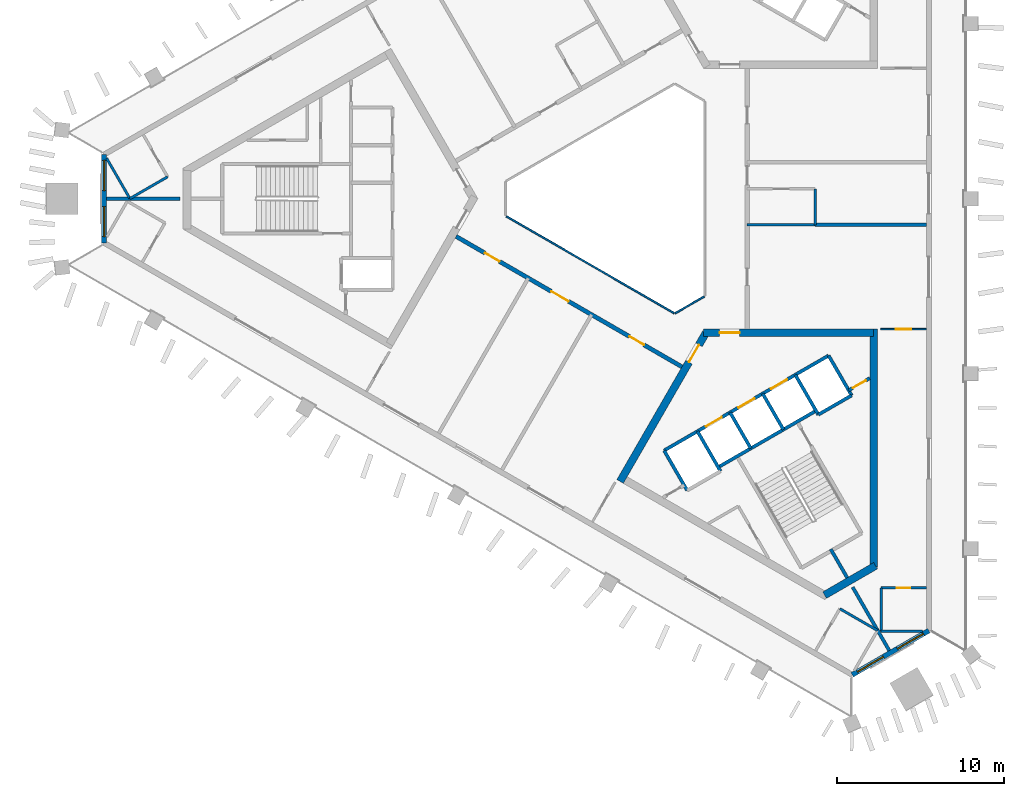
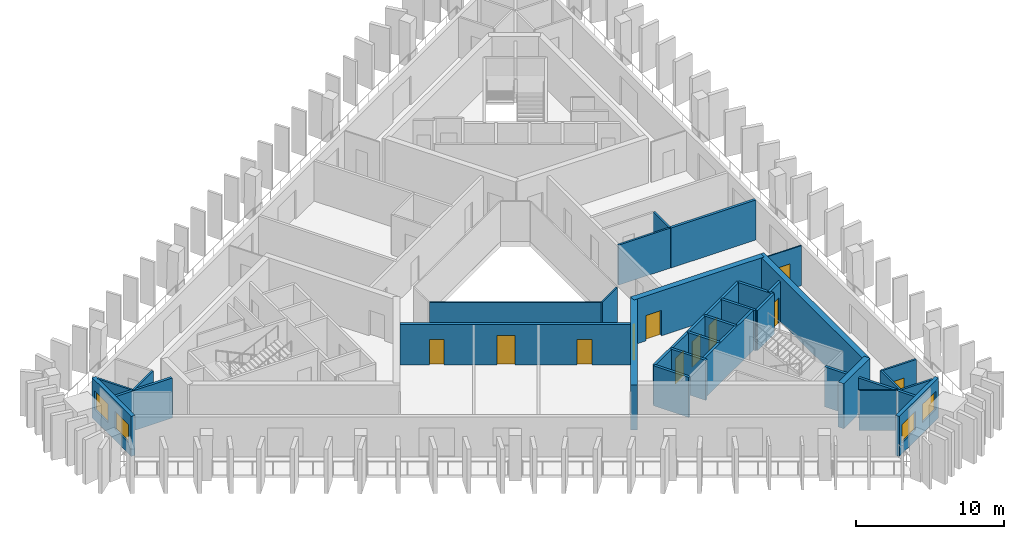
# One storey, part 3 of 9: 32 walls, 11 doors, 4 windows, 15 openings.
"""IFC4 building model written with IfcOpenShell, lengths in metres."""

from ifc_helpers import new_model, si_unit, direction, frame, frame_2d, origin, place, context, subcontext, project, spatial, rectangle, extrude, material, layer, layer_set, type_object, element, fill, save


model = new_model("IFC4")

# Units and contexts
model_context = context("Model", 3, precision=1e-05, world=origin(), true_north=direction((0.0, 1.0)))
body_context = subcontext(model_context, "Body", "Model", "MODEL_VIEW")
ifc_project = project(units=[si_unit("LENGTHUNIT", "METRE"), si_unit("AREAUNIT", "SQUARE_METRE"), si_unit("VOLUMEUNIT", "CUBIC_METRE"), si_unit("PLANEANGLEUNIT", "RADIAN"), si_unit("MASSUNIT", "GRAM", prefix="KILO")], contexts=[model_context])

# Site, building, storey
site_placement = place(None, origin())
site = spatial("IfcSite", under=ifc_project, at=site_placement, CompositionType="ELEMENT")
building_placement = place(site_placement, origin())
building = spatial("IfcBuilding", under=site, at=building_placement, Name="Jabali Bay Hotel Tower and Convention Centre", CompositionType="ELEMENT")
storey_placement = place(building_placement, frame((0.0, 0.0, 205.800048828125)))
storey = spatial("IfcBuildingStorey", under=building, at=storey_placement, Name="L50", CompositionType="ELEMENT", Elevation=205.800048828125)

# Walls
ifc_material_1 = material(Name="Fire-resistant glazing", Category="glass")
ifc_layer_1 = layer(ifc_material_1, 0.10009765625)
ifc_layer_set_1 = layer_set([ifc_layer_1], Name="Fire-resistant glazing")
wall_type_1 = type_object("IfcWallType", Name="Atrium glazed screen 100", PredefinedType="PARTITIONING", material=ifc_layer_set_1)
wall_1_placement = place(storey_placement, frame((67.7021484375, 78.947998046875, 0.0), z_axis=(0.0, 0.0, 1.0), x_axis=(0.866026658274, -0.499997827154, 0.0)))
element("IfcWall", 1, at=wall_1_placement, inside=storey, type_object=wall_type_1, Name="Atrium screen 5 L50", PredefinedType="PARTITIONING", context=body_context, shape_type="SweptSolid", body=[
    extrude(rectangle(XDim=11.58837890625, YDim=0.10009765625, at=frame_2d((5.794189453125, 0.0))), origin(), (0.0, 0.0, 1.0), 3.300048828125),
])
wall_2_placement = place(storey_placement, frame((77.7978515625, 73.15380859375, 0.0), z_axis=(0.0, 0.0, 1.0), x_axis=(0.866041268327, 0.499972520799, 0.0)))
element("IfcWall", 2, at=wall_2_placement, inside=storey, type_object=wall_type_1, Name="Atrium screen 6 L50", PredefinedType="PARTITIONING", context=body_context, shape_type="SweptSolid", body=[
    extrude(rectangle(XDim=2.0, YDim=0.10009765625, at=frame_2d((1.0, 0.0))), origin(), (0.0, 0.0, 1.0), 3.300048828125),
])
ifc_material_2 = material(Name="Concrete C40", Category="concrete")
ifc_layer_2 = layer(ifc_material_2, 0.199951171875)
ifc_layer_set_2 = layer_set([ifc_layer_2], Name="Concrete C40")
wall_type_2 = type_object("IfcWallType", Name="Core partition wall 200", PredefinedType="PARTITIONING", material=ifc_layer_set_2)
wall_3_placement = place(storey_placement, frame((87.090087890625, 59.0595703125, 0.0), z_axis=(0.0, 0.0, 1.0), x_axis=(0.500011643316, -0.866018681408, 0.0)))
element("IfcWall", 3, at=wall_3_placement, inside=storey, type_object=wall_type_2, Name="Core wall 2.5 L50", PredefinedType="PARTITIONING", context=body_context, shape_type="SweptSolid", body=[
    extrude(rectangle(XDim=1.97314453125, YDim=0.199951171875, at=frame_2d((0.986572265625, 0.0))), origin(), (0.0, 0.0, 1.0), 3.300048828125),
])

# Wall, opening, door
wall_4_placement = place(storey_placement, frame((88.164794921875, 68.548095703125, 0.0), z_axis=(0.0, 0.0, 1.0), x_axis=(0.866013036001, 0.500021421018, 0.0)))
wall_4 = element("IfcWall", 4, at=wall_4_placement, inside=storey, type_object=wall_type_2, Name="Core wall 2.12 L50", PredefinedType="PARTITIONING", context=body_context, shape_type="SweptSolid", body=[
    extrude(rectangle(XDim=1.4609375, YDim=0.199951171875, at=frame_2d((0.73046875, 0.0))), origin(), (0.0, 0.0, 1.0), 3.300048828125),
])
opening_1_placement = place(wall_4_placement, frame((0.280517578125, 0.0, 0.0)))
opening_1 = element("IfcOpeningElement", 5, at=opening_1_placement, cuts=wall_4, Name="Opening D1091", PredefinedType="OPENING", context=body_context, shape_type="SweptSolid", body=[
    extrude(rectangle(XDim=0.89990234375, YDim=2.10009765625, at=frame_2d((0.449951171875, 1.050048828125))), frame((0.0, 0.1103515625, 0.0), z_axis=(0.0, -1.0, 0.0), x_axis=(1.0, 0.0, 0.0)), (0.0, 0.0, 1.0), 0.220947265625),
])
ifc_material_3 = material(Name="Fire-rated steel door", Category="steel")
door_type_1 = type_object("IfcDoorType", Name="Vestibule fire door 900 x 2100", OperationType="NOTDEFINED", PredefinedType="NOTDEFINED", material=ifc_material_3)
door_1_placement = place(opening_1_placement, origin())
door_1 = element("IfcDoor", 6, at=door_1_placement, inside=storey, type_object=door_type_1, Name="Vestibule fire door D1091", OperationType="SINGLE_SWING_LEFT", OverallHeight=2.10009765625, OverallWidth=0.89990234375, PredefinedType="NOTDEFINED", context=body_context, shape_type="SweptSolid", body=[
    extrude(rectangle(XDim=0.89990234375, YDim=2.10009765625, at=frame_2d((0.449951171875, 1.050048828125))), frame((0.0, 0.02490234375, 0.0), z_axis=(0.0, -1.0, 0.0), x_axis=(1.0, 0.0, 0.0)), (0.0, 0.0, 1.0), 0.050048828125),
])
fill(opening_1, door_1)

# Walls
ifc_layer_3 = layer(ifc_material_2, 0.199951171875)
ifc_layer_set_3 = layer_set([ifc_layer_3], Name="Concrete C40")
wall_type_3 = type_object("IfcWallType", Name="Core stair wall 200", PredefinedType="SOLIDWALL", material=ifc_layer_set_3)
for number, where, z_axis, x_axis, name in (
    (7, (77.13525390625, 64.95166015625, 0.0), (0.0, 0.0, 1.0), (0.499996545922, -0.866027397988, 0.0), "Core wall 2.0 L50"),
    (8, (79.127197265625, 66.1015625, 0.0), (0.0, 0.0, 1.0), (0.499996545922, -0.866027397988, 0.0), "Core wall 2.2 L50"),
):
    element("IfcWall", number, at=place(storey_placement, frame(where, z_axis=z_axis, x_axis=x_axis)), inside=storey, type_object=wall_type_3, Name=name, PredefinedType="SOLIDWALL", context=body_context, shape_type="SweptSolid", body=[
        extrude(rectangle(XDim=2.75, YDim=0.199951171875, at=frame_2d((1.375, 0.0))), origin(), (0.0, 0.0, 1.0), 3.300048828125),
    ])
for number, where, z_axis, x_axis, name in (
    (9, (81.07568359375, 67.2265625, 0.0), (0.0, 0.0, 1.0), (0.50000366821, -0.866023285932, 0.0), "Core wall 2.4 L50"),
    (10, (83.024169921875, 68.3515625, 0.0), (0.0, 0.0, 1.0), (0.50000366821, -0.866023285932, 0.0), "Core wall 2.6 L50"),
):
    element("IfcWall", number, at=place(storey_placement, frame(where, z_axis=z_axis, x_axis=x_axis)), inside=storey, type_object=wall_type_3, Name=name, PredefinedType="SOLIDWALL", context=body_context, shape_type="SweptSolid", body=[
        extrude(rectangle(XDim=2.47998046875, YDim=0.199951171875, at=frame_2d((1.239990234375, 0.0))), origin(), (0.0, 0.0, 1.0), 3.300048828125),
    ])
for number, where, z_axis, x_axis, name in (
    (11, (84.972900390625, 69.4765625, 0.0), (0.0, 0.0, 1.0), (0.499996545922, -0.866027397988, 0.0), "Core wall 2.8 L50"),
    (12, (86.964599609375, 70.62646484375, 0.0), (0.0, 0.0, 1.0), (0.499996545922, -0.866027397988, 0.0), "Core wall 2.9 L50"),
):
    element("IfcWall", number, at=place(storey_placement, frame(where, z_axis=z_axis, x_axis=x_axis)), inside=storey, type_object=wall_type_3, Name=name, PredefinedType="SOLIDWALL", context=body_context, shape_type="SweptSolid", body=[
        extrude(rectangle(XDim=2.75, YDim=0.199951171875, at=frame_2d((1.375, 0.0))), origin(), (0.0, 0.0, 1.0), 3.300048828125),
    ])

# Wall, openings, doors
wall_5_placement = place(storey_placement, frame((77.13525390625, 64.95166015625, 0.0), z_axis=(0.0, 0.0, 1.0), x_axis=(0.866031916153, 0.499988720078, 0.0)))
wall_5 = element("IfcWall", 13, at=wall_5_placement, inside=storey, type_object=wall_type_3, Name="Core wall 2.10 L50", PredefinedType="SOLIDWALL", context=body_context, shape_type="SweptSolid", body=[
    extrude(rectangle(XDim=11.349853515625, YDim=0.199951171875, at=frame_2d((5.6748046875, 0.0))), origin(), (0.0, 0.0, 1.0), 3.300048828125),
])
opening_2_placement = place(wall_5_placement, frame((2.875, 0.0, 0.0)))
opening_2 = element("IfcOpeningElement", 14, at=opening_2_placement, cuts=wall_5, Name="Opening LD12-L50", PredefinedType="OPENING", context=body_context, shape_type="SweptSolid", body=[
    extrude(rectangle(XDim=1.10009765625, YDim=2.10009765625, at=frame_2d((0.550048828125, 1.050048828125))), frame((0.0, 0.1103515625, 0.0), z_axis=(0.0, -1.0, 0.0), x_axis=(1.0, 0.0, 0.0)), (0.0, 0.0, 1.0), 0.220947265625),
])
opening_3_placement = place(wall_5_placement, frame((5.125, 0.0, 0.0)))
opening_3 = element("IfcOpeningElement", 15, at=opening_3_placement, cuts=wall_5, Name="Opening LD13-L50", PredefinedType="OPENING", context=body_context, shape_type="SweptSolid", body=[
    extrude(rectangle(XDim=1.10009765625, YDim=2.10009765625, at=frame_2d((0.550048828125, 1.050048828125))), frame((0.0, 0.1103515625, 0.0), z_axis=(0.0, -1.0, 0.0), x_axis=(1.0, 0.0, 0.0)), (0.0, 0.0, 1.0), 0.220947265625),
])
opening_4_placement = place(wall_5_placement, frame((7.375, 0.0, 0.0)))
opening_4 = element("IfcOpeningElement", 16, at=opening_4_placement, cuts=wall_5, Name="Opening LD14-L50", PredefinedType="OPENING", context=body_context, shape_type="SweptSolid", body=[
    extrude(rectangle(XDim=1.10009765625, YDim=2.10009765625, at=frame_2d((0.550048828125, 1.050048828125))), frame((0.0, 0.1103515625, 0.0), z_axis=(0.0, -1.0, 0.0), x_axis=(1.0, 0.0, 0.0)), (0.0, 0.0, 1.0), 0.220947265625),
])
ifc_material_4 = material(Name="Stainless steel landing door", Category="steel")
door_type_2 = type_object("IfcDoorType", Name="Landing door 1100 x 2100", OperationType="NOTDEFINED", PredefinedType="NOTDEFINED", material=ifc_material_4)
door_2_placement = place(opening_2_placement, origin())
door_2 = element("IfcDoor", 17, at=door_2_placement, inside=storey, type_object=door_type_2, Name="Landing doors LD12-L50", OperationType="SLIDING_TO_LEFT", OverallHeight=2.10009765625, OverallWidth=1.10009765625, PredefinedType="NOTDEFINED", context=body_context, shape_type="SweptSolid", body=[
    extrude(rectangle(XDim=1.10009765625, YDim=2.10009765625, at=frame_2d((0.550048828125, 1.050048828125))), frame((0.0, 0.02490234375, 0.0), z_axis=(0.0, -1.0, 0.0), x_axis=(1.0, 0.0, 0.0)), (0.0, 0.0, 1.0), 0.050048828125),
])
fill(opening_2, door_2)
door_3_placement = place(opening_3_placement, origin())
door_3 = element("IfcDoor", 18, at=door_3_placement, inside=storey, type_object=door_type_2, Name="Landing doors LD13-L50", OperationType="SLIDING_TO_RIGHT", OverallHeight=2.10009765625, OverallWidth=1.10009765625, PredefinedType="NOTDEFINED", context=body_context, shape_type="SweptSolid", body=[
    extrude(rectangle(XDim=1.10009765625, YDim=2.10009765625, at=frame_2d((0.550048828125, 1.050048828125))), frame((0.0, 0.02490234375, 0.0), z_axis=(0.0, -1.0, 0.0), x_axis=(1.0, 0.0, 0.0)), (0.0, 0.0, 1.0), 0.050048828125),
])
fill(opening_3, door_3)
door_4_placement = place(opening_4_placement, origin())
door_4 = element("IfcDoor", 19, at=door_4_placement, inside=storey, type_object=door_type_2, Name="Landing doors LD14-L50", OperationType="SLIDING_TO_LEFT", OverallHeight=2.10009765625, OverallWidth=1.10009765625, PredefinedType="NOTDEFINED", context=body_context, shape_type="SweptSolid", body=[
    extrude(rectangle(XDim=1.10009765625, YDim=2.10009765625, at=frame_2d((0.550048828125, 1.050048828125))), frame((0.0, 0.02490234375, 0.0), z_axis=(0.0, -1.0, 0.0), x_axis=(1.0, 0.0, 0.0)), (0.0, 0.0, 1.0), 0.050048828125),
])
fill(opening_4, door_4)

# Walls
wall_6_placement = place(storey_placement, frame((80.3671875, 63.953857421875, 0.0), z_axis=(0.0, 0.0, 1.0), x_axis=(0.866026575979, 0.499997969693, 0.0)))
element("IfcWall", 20, at=wall_6_placement, inside=storey, type_object=wall_type_3, Name="Core wall 2.13 L50", PredefinedType="SOLIDWALL", context=body_context, shape_type="SweptSolid", body=[
    extrude(rectangle(XDim=6.75, YDim=0.199951171875, at=frame_2d((3.375, 0.0))), origin(), (0.0, 0.0, 1.0), 3.300048828125),
])
wall_7_placement = place(storey_placement, frame((86.347900390625, 67.094970703125, 0.0), z_axis=(0.0, 0.0, 1.0), x_axis=(0.86602648383, 0.499998129301, 0.0)))
element("IfcWall", 21, at=wall_7_placement, inside=storey, type_object=wall_type_3, Name="Core wall 2.15 L50", PredefinedType="SOLIDWALL", context=body_context, shape_type="SweptSolid", body=[
    extrude(rectangle(XDim=2.2998046875, YDim=0.199951171875, at=frame_2d((1.14990234375, 0.0))), origin(), (0.0, 0.0, 1.0), 3.300048828125),
])

# Wall, opening, door
ifc_material_5 = material(Name="Concrete C60", Category="concrete")
ifc_layer_4 = layer(ifc_material_5, 0.449951171875)
ifc_layer_set_4 = layer_set([ifc_layer_4], Name="Concrete C60")
wall_type_4 = type_object("IfcWallType", Name="Core wall 450", PredefinedType="SHEAR", material=ifc_layer_set_4)
wall_8_placement = place(storey_placement, frame((79.6298828125, 71.980712890625, 0.0), z_axis=(0.0, 0.0, 1.0), x_axis=(-0.500002171595, -0.86602415001, 0.0)))
wall_8 = element("IfcWall", 22, at=wall_8_placement, inside=storey, type_object=wall_type_4, Name="Core wall 3.1 L50", PredefinedType="SHEAR", context=body_context, shape_type="SweptSolid", body=[
    extrude(rectangle(XDim=10.25, YDim=0.449951171875, at=frame_2d((5.125, 0.0))), origin(), (0.0, 0.0, 1.0), 3.699951171875),
])
opening_5_placement = place(wall_8_placement, frame((0.820068359375, 0.0, 0.0)))
opening_5 = element("IfcOpeningElement", 23, at=opening_5_placement, cuts=wall_8, Name="Opening D1089", PredefinedType="OPENING", context=body_context, shape_type="SweptSolid", body=[
    extrude(rectangle(XDim=1.199951171875, YDim=2.10009765625, at=frame_2d((0.60009765625, 1.050048828125))), frame((0.0, 0.2353515625, 0.0), z_axis=(0.0, -1.0, 0.0), x_axis=(1.0, 0.0, 0.0)), (0.0, 0.0, 1.0), 0.470947265625),
])
door_type_3 = type_object("IfcDoorType", Name="Corridor end fire door 1200 x 2100", OperationType="NOTDEFINED", PredefinedType="NOTDEFINED", material=ifc_material_3)
door_5_placement = place(opening_5_placement, origin())
door_5 = element("IfcDoor", 24, at=door_5_placement, inside=storey, type_object=door_type_3, Name="Corridor end fire door D1089", OperationType="SINGLE_SWING_RIGHT", OverallHeight=2.10009765625, OverallWidth=1.199951171875, PredefinedType="NOTDEFINED", context=body_context, shape_type="SweptSolid", body=[
    extrude(rectangle(XDim=1.199951171875, YDim=2.10009765625, at=frame_2d((0.60009765625, 1.050048828125))), frame((0.0, 0.02490234375, 0.0), z_axis=(0.0, -1.0, 0.0), x_axis=(1.0, 0.0, 0.0)), (0.0, 0.0, 1.0), 0.050048828125),
])
fill(opening_5, door_5)

# Walls
wall_9_placement = place(storey_placement, frame((86.72314453125, 56.3095703125, 0.0), z_axis=(0.0, 0.0, 1.0), x_axis=(0.866042179588, 0.49997094233, 0.0)))
element("IfcWall", 25, at=wall_9_placement, inside=storey, type_object=wall_type_4, Name="Core wall 3.3 L50", PredefinedType="SHEAR", context=body_context, shape_type="SweptSolid", body=[
    extrude(rectangle(XDim=3.515380859375, YDim=0.449951171875, at=frame_2d((1.7578125, 0.0))), origin(), (0.0, 0.0, 1.0), 3.699951171875),
])
wall_10_placement = place(storey_placement, frame((89.655029296875, 58.002197265625, 0.0), z_axis=(0.0, 0.0, 1.0), x_axis=(0.0, 1.0, 0.0)))
element("IfcWall", 26, at=wall_10_placement, inside=storey, type_object=wall_type_4, Name="Core wall 3.4 L50", PredefinedType="SHEAR", context=body_context, shape_type="SweptSolid", body=[
    extrude(rectangle(XDim=14.20361328125, YDim=0.449951171875, at=frame_2d((7.101806640625, 0.0))), origin(), (0.0, 0.0, 1.0), 3.699951171875),
])

# Wall, opening, door
wall_11_placement = place(storey_placement, frame((89.655029296875, 71.980712890625, 0.0), z_axis=(0.0, 0.0, 1.0), x_axis=(-1.0, 0.0, 0.0)))
wall_11 = element("IfcWall", 27, at=wall_11_placement, inside=storey, type_object=wall_type_4, Name="Core wall 3.5 L50", PredefinedType="SHEAR", context=body_context, shape_type="SweptSolid", body=[
    extrude(rectangle(XDim=10.155029296875, YDim=0.449951171875, at=frame_2d((5.07763671875, 0.0))), origin(), (0.0, 0.0, 1.0), 3.699951171875),
])
opening_6_placement = place(wall_11_placement, frame((8.0048828125, 0.0, 0.0)))
opening_6 = element("IfcOpeningElement", 28, at=opening_6_placement, cuts=wall_11, Name="Opening D1090", PredefinedType="OPENING", context=body_context, shape_type="SweptSolid", body=[
    extrude(rectangle(XDim=1.199951171875, YDim=2.10009765625, at=frame_2d((0.60009765625, 1.050048828125))), frame((0.0, 0.2353515625, 0.0), z_axis=(0.0, -1.0, 0.0), x_axis=(1.0, 0.0, 0.0)), (0.0, 0.0, 1.0), 0.470947265625),
])
door_6_placement = place(opening_6_placement, origin())
door_6 = element("IfcDoor", 29, at=door_6_placement, inside=storey, type_object=door_type_3, Name="Corridor end fire door D1090", OperationType="SINGLE_SWING_LEFT", OverallHeight=2.10009765625, OverallWidth=1.199951171875, PredefinedType="NOTDEFINED", context=body_context, shape_type="SweptSolid", body=[
    extrude(rectangle(XDim=1.199951171875, YDim=2.10009765625, at=frame_2d((0.60009765625, 1.050048828125))), frame((0.0, 0.02490234375, 0.0), z_axis=(0.0, -1.0, 0.0), x_axis=(1.0, 0.0, 0.0)), (0.0, 0.0, 1.0), 0.050048828125),
])
fill(opening_6, door_6)

# Wall, openings, doors
ifc_layer_5 = layer(ifc_material_5, 0.25)
ifc_layer_set_5 = layer_set([ifc_layer_5], Name="Concrete C60")
wall_type_5 = type_object("IfcWallType", Name="Corridor wall 250", PredefinedType="SHEAR", material=ifc_layer_set_5)
wall_12_placement = place(storey_placement, frame((64.699951171875, 77.748291015625, 0.0), z_axis=(0.0, 0.0, 1.0), x_axis=(0.866026492143, -0.499998114903, 0.0)))
wall_12 = element("IfcWall", 30, at=wall_12_placement, inside=storey, type_object=wall_type_5, Name="Corridor wall 3 L50", PredefinedType="SHEAR", context=body_context, shape_type="SweptSolid", body=[
    extrude(rectangle(XDim=15.58837890625, YDim=0.25, at=frame_2d((7.794189453125, 0.0))), origin(), (0.0, 0.0, 1.0), 3.300048828125),
])
opening_7_placement = place(wall_12_placement, frame((1.994140625, 0.0, 0.0)))
opening_7 = element("IfcOpeningElement", 31, at=opening_7_placement, cuts=wall_12, Name="Opening 5017", PredefinedType="OPENING", context=body_context, shape_type="SweptSolid", body=[
    extrude(rectangle(XDim=1.0, YDim=2.10009765625, at=frame_2d((0.5, 1.050048828125))), frame((0.0, 0.135498046875, 0.0), z_axis=(0.0, -1.0, 0.0), x_axis=(1.0, 0.0, 0.0)), (0.0, 0.0, 1.0), 0.27099609375),
])
opening_8_placement = place(wall_12_placement, frame((6.57080078125, 0.0, 0.0)))
opening_8 = element("IfcOpeningElement", 32, at=opening_8_placement, cuts=wall_12, Name="Opening 5020", PredefinedType="OPENING", context=body_context, shape_type="SweptSolid", body=[
    extrude(rectangle(XDim=1.199951171875, YDim=2.39990234375, at=frame_2d((0.60009765625, 1.199951171875))), frame((0.0, 0.135498046875, 0.0), z_axis=(0.0, -1.0, 0.0), x_axis=(1.0, 0.0, 0.0)), (0.0, 0.0, 1.0), 0.27099609375),
])
opening_9_placement = place(wall_12_placement, frame((11.970703125, 0.0, 0.0)))
opening_9 = element("IfcOpeningElement", 33, at=opening_9_placement, cuts=wall_12, Name="Opening 5021", PredefinedType="OPENING", context=body_context, shape_type="SweptSolid", body=[
    extrude(rectangle(XDim=1.0, YDim=2.10009765625, at=frame_2d((0.5, 1.050048828125))), frame((0.0, 0.135498046875, 0.0), z_axis=(0.0, -1.0, 0.0), x_axis=(1.0, 0.0, 0.0)), (0.0, 0.0, 1.0), 0.27099609375),
])
ifc_material_6 = material(Name="Timber", Category="wood")
door_type_4 = type_object("IfcDoorType", Name="Guest room door 1000 x 2100", OperationType="NOTDEFINED", PredefinedType="NOTDEFINED", material=ifc_material_6)
door_7_placement = place(opening_7_placement, origin())
door_7 = element("IfcDoor", 34, at=door_7_placement, inside=storey, type_object=door_type_4, Name="Door 5017", OperationType="SINGLE_SWING_LEFT", OverallHeight=2.10009765625, OverallWidth=1.0, PredefinedType="NOTDEFINED", context=body_context, shape_type="SweptSolid", body=[
    extrude(rectangle(XDim=1.0, YDim=2.10009765625, at=frame_2d((0.5, 1.050048828125))), frame((0.0, 0.02490234375, 0.0), z_axis=(0.0, -1.0, 0.0), x_axis=(1.0, 0.0, 0.0)), (0.0, 0.0, 1.0), 0.050048828125),
])
fill(opening_7, door_7)
door_8_placement = place(opening_9_placement, origin())
door_8 = element("IfcDoor", 35, at=door_8_placement, inside=storey, type_object=door_type_4, Name="Door 5021", OperationType="SINGLE_SWING_RIGHT", OverallHeight=2.10009765625, OverallWidth=1.0, PredefinedType="NOTDEFINED", context=body_context, shape_type="SweptSolid", body=[
    extrude(rectangle(XDim=1.0, YDim=2.10009765625, at=frame_2d((0.5, 1.050048828125))), frame((0.0, 0.02490234375, 0.0), z_axis=(0.0, -1.0, 0.0), x_axis=(1.0, 0.0, 0.0)), (0.0, 0.0, 1.0), 0.050048828125),
])
fill(opening_9, door_8)
door_type_5 = type_object("IfcDoorType", Name="Public room door 1200 x 2400", OperationType="NOTDEFINED", PredefinedType="NOTDEFINED", material=ifc_material_6)
door_9_placement = place(opening_8_placement, origin())
door_9 = element("IfcDoor", 36, at=door_9_placement, inside=storey, type_object=door_type_5, Name="Door 5020", OperationType="SINGLE_SWING_LEFT", OverallHeight=2.39990234375, OverallWidth=1.199951171875, PredefinedType="NOTDEFINED", context=body_context, shape_type="SweptSolid", body=[
    extrude(rectangle(XDim=1.199951171875, YDim=2.39990234375, at=frame_2d((0.60009765625, 1.199951171875))), frame((0.0, 0.02490234375, 0.0), z_axis=(0.0, -1.0, 0.0), x_axis=(1.0, 0.0, 0.0)), (0.0, 0.0, 1.0), 0.050048828125),
])
fill(opening_8, door_9)

# Wall, openings, windows
ifc_layer_6 = layer(ifc_material_2, 0.300048828125)
ifc_layer_set_6 = layer_set([ifc_layer_6], Name="Concrete C40")
wall_type_6 = type_object("IfcWallType", Name="External wall 300", PredefinedType="SOLIDWALL", material=ifc_layer_set_6)
wall_13_placement = place(storey_placement, frame((43.672119140625, 77.359375, 0.0), z_axis=(0.0, 0.0, 1.0), x_axis=(0.0, 1.0, 0.0)))
wall_13 = element("IfcWall", 37, at=wall_13_placement, inside=storey, type_object=wall_type_6, Name="External wall west chamfer L50", PredefinedType="SOLIDWALL", context=body_context, shape_type="SweptSolid", body=[
    extrude(rectangle(XDim=5.28125, YDim=0.300048828125, at=frame_2d((2.640625, 0.0))), origin(), (0.0, 0.0, 1.0), 3.300048828125),
])
opening_10_placement = place(wall_13_placement, frame((3.125732421875, 0.0, 0.89990234375)))
opening_10 = element("IfcOpeningElement", 38, at=opening_10_placement, cuts=wall_13, Name="Opening W1", PredefinedType="OPENING", context=body_context, shape_type="SweptSolid", body=[
    extrude(rectangle(XDim=1.800048828125, YDim=1.5, at=frame_2d((0.89990234375, 0.75))), frame((0.0, 0.16064453125, 0.0), z_axis=(0.0, -1.0, 0.0), x_axis=(1.0, 0.0, 0.0)), (0.0, 0.0, 1.0), 0.321044921875),
])
opening_11_placement = place(wall_13_placement, frame((0.3720703125, 0.0, 0.89990234375)))
opening_11 = element("IfcOpeningElement", 39, at=opening_11_placement, cuts=wall_13, Name="Opening W1", PredefinedType="OPENING", context=body_context, shape_type="SweptSolid", body=[
    extrude(rectangle(XDim=1.800048828125, YDim=1.5, at=frame_2d((0.89990234375, 0.75))), frame((0.0, 0.16064453125, 0.0), z_axis=(0.0, -1.0, 0.0), x_axis=(1.0, 0.0, 0.0)), (0.0, 0.0, 1.0), 0.321044921875),
])
ifc_material_7 = material(Name="Glass", Category="glass")
window_type = type_object("IfcWindowType", Name="Window 1800 x 1500", PartitioningType="SINGLE_PANEL", PredefinedType="WINDOW", material=ifc_material_7)
window_1_placement = place(opening_10_placement, origin())
window_1 = element("IfcWindow", 40, at=window_1_placement, inside=storey, type_object=window_type, Name="Window 5006", OverallHeight=1.5, OverallWidth=1.800048828125, PartitioningType="SINGLE_PANEL", PredefinedType="WINDOW", context=body_context, shape_type="SweptSolid", body=[
    extrude(rectangle(XDim=1.800048828125, YDim=1.5, at=frame_2d((0.89990234375, 0.75))), frame((0.0, 0.030029296875, 0.0), z_axis=(0.0, -1.0, 0.0), x_axis=(1.0, 0.0, 0.0)), (0.0, 0.0, 1.0), 0.06005859375),
])
fill(opening_10, window_1)
window_2_placement = place(opening_11_placement, origin())
window_2 = element("IfcWindow", 41, at=window_2_placement, inside=storey, type_object=window_type, Name="Window 5007", OverallHeight=1.5, OverallWidth=1.800048828125, PartitioningType="SINGLE_PANEL", PredefinedType="WINDOW", context=body_context, shape_type="SweptSolid", body=[
    extrude(rectangle(XDim=1.800048828125, YDim=1.5, at=frame_2d((0.89990234375, 0.75))), frame((0.0, 0.030029296875, 0.0), z_axis=(0.0, -1.0, 0.0), x_axis=(1.0, 0.0, 0.0)), (0.0, 0.0, 1.0), 0.06005859375),
])
fill(opening_11, window_2)

wall_14_placement = place(storey_placement, frame((92.95068359375, 54.189453125, 0.0), z_axis=(0.0, 0.0, 1.0), x_axis=(-0.866015446554, -0.500017246033, 0.0)))
wall_14 = element("IfcWall", 42, at=wall_14_placement, inside=storey, type_object=wall_type_6, Name="External wall south-east chamfer L50", PredefinedType="SOLIDWALL", context=body_context, shape_type="SweptSolid", body=[
    extrude(rectangle(XDim=5.281005859375, YDim=0.300048828125, at=frame_2d((2.640625, 0.0))), origin(), (0.0, 0.0, 1.0), 3.300048828125),
])
opening_12_placement = place(wall_14_placement, frame((0.3720703125, 0.0, 0.89990234375)))
opening_12 = element("IfcOpeningElement", 43, at=opening_12_placement, cuts=wall_14, Name="Opening W1", PredefinedType="OPENING", context=body_context, shape_type="SweptSolid", body=[
    extrude(rectangle(XDim=1.800048828125, YDim=1.5, at=frame_2d((0.89990234375, 0.75))), frame((0.0, 0.16064453125, 0.0), z_axis=(0.0, -1.0, 0.0), x_axis=(1.0, 0.0, 0.0)), (0.0, 0.0, 1.0), 0.321044921875),
])
opening_13_placement = place(wall_14_placement, frame((3.125732421875, 0.0, 0.89990234375)))
opening_13 = element("IfcOpeningElement", 44, at=opening_13_placement, cuts=wall_14, Name="Opening W1", PredefinedType="OPENING", context=body_context, shape_type="SweptSolid", body=[
    extrude(rectangle(XDim=1.800048828125, YDim=1.5, at=frame_2d((0.89990234375, 0.75))), frame((0.0, 0.16064453125, 0.0), z_axis=(0.0, -1.0, 0.0), x_axis=(1.0, 0.0, 0.0)), (0.0, 0.0, 1.0), 0.321044921875),
])
window_3_placement = place(opening_12_placement, origin())
window_3 = element("IfcWindow", 45, at=window_3_placement, inside=storey, type_object=window_type, Name="Window 5001", OverallHeight=1.5, OverallWidth=1.800048828125, PartitioningType="SINGLE_PANEL", PredefinedType="WINDOW", context=body_context, shape_type="SweptSolid", body=[
    extrude(rectangle(XDim=1.800048828125, YDim=1.5, at=frame_2d((0.89990234375, 0.75))), frame((0.0, 0.030029296875, 0.0), z_axis=(0.0, -1.0, 0.0), x_axis=(1.0, 0.0, 0.0)), (0.0, 0.0, 1.0), 0.06005859375),
])
fill(opening_12, window_3)
window_4_placement = place(opening_13_placement, origin())
window_4 = element("IfcWindow", 46, at=window_4_placement, inside=storey, type_object=window_type, Name="Window 5008", OverallHeight=1.5, OverallWidth=1.800048828125, PartitioningType="SINGLE_PANEL", PredefinedType="WINDOW", context=body_context, shape_type="SweptSolid", body=[
    extrude(rectangle(XDim=1.800048828125, YDim=1.5, at=frame_2d((0.89990234375, 0.75))), frame((0.0, 0.030029296875, 0.0), z_axis=(0.0, -1.0, 0.0), x_axis=(1.0, 0.0, 0.0)), (0.0, 0.0, 1.0), 0.06005859375),
])
fill(opening_13, window_4)

# Wall, opening, door
ifc_material_8 = material(Name="Plasterboard on steel stud", Category="steel")
ifc_layer_7 = layer(ifc_material_8, 0.10009765625)
ifc_layer_set_7 = layer_set([ifc_layer_7], Name="Plasterboard on steel stud")
wall_type_7 = type_object("IfcWallType", Name="Partition 100 unit", PredefinedType="PARTITIONING", material=ifc_layer_set_7)
wall_15_placement = place(storey_placement, frame((90.0791015625, 72.205810546875, 0.0), z_axis=(0.0, 0.0, 1.0), x_axis=(1.0, 0.0, 0.0)))
wall_15 = element("IfcWall", 47, at=wall_15_placement, inside=storey, type_object=wall_type_7, Name="Partition P02 L50 001", PredefinedType="PARTITIONING", context=body_context, shape_type="SweptSolid", body=[
    extrude(rectangle(XDim=2.72265625, YDim=0.10009765625, at=frame_2d((1.361328125, 0.0))), origin(), (0.0, 0.0, 1.0), 3.300048828125),
])
opening_14_placement = place(wall_15_placement, frame((0.910888671875, 0.0, 0.0)))
opening_14 = element("IfcOpeningElement", 48, at=opening_14_placement, cuts=wall_15, Name="Opening 5002", PredefinedType="OPENING", context=body_context, shape_type="SweptSolid", body=[
    extrude(rectangle(XDim=0.89990234375, YDim=2.10009765625, at=frame_2d((0.449951171875, 1.050048828125))), frame((0.0, 0.060546875, 0.0), z_axis=(0.0, -1.0, 0.0), x_axis=(1.0, 0.0, 0.0)), (0.0, 0.0, 1.0), 0.12109375),
])
door_type_6 = type_object("IfcDoorType", Name="Internal door 900 x 2100", OperationType="NOTDEFINED", PredefinedType="NOTDEFINED", material=ifc_material_6)
door_10_placement = place(opening_14_placement, origin())
door_10 = element("IfcDoor", 49, at=door_10_placement, inside=storey, type_object=door_type_6, Name="Door 5002", OperationType="SINGLE_SWING_LEFT", OverallHeight=2.10009765625, OverallWidth=0.89990234375, PredefinedType="NOTDEFINED", context=body_context, shape_type="SweptSolid", body=[
    extrude(rectangle(XDim=0.89990234375, YDim=2.10009765625, at=frame_2d((0.449951171875, 1.050048828125))), frame((0.0, 0.02490234375, 0.0), z_axis=(0.0, -1.0, 0.0), x_axis=(1.0, 0.0, 0.0)), (0.0, 0.0, 1.0), 0.050048828125),
])
fill(opening_14, door_10)

# Walls
ifc_layer_8 = layer(ifc_material_8, 0.14990234375)
ifc_layer_set_8 = layer_set([ifc_layer_8], Name="Plasterboard on steel stud")
wall_type_8 = type_object("IfcWallType", Name="Partition 150 wet", PredefinedType="PARTITIONING", material=ifc_layer_set_8)
wall_16_placement = place(storey_placement, frame((86.1630859375, 78.441162109375, 0.0), z_axis=(0.0, 0.0, 1.0), x_axis=(-1.0, 0.0, 0.0)))
element("IfcWall", 50, at=wall_16_placement, inside=storey, type_object=wall_type_8, Name="Partition P03 L50 003", PredefinedType="PARTITIONING", context=body_context, shape_type="SweptSolid", body=[
    extrude(rectangle(XDim=4.06298828125, YDim=0.14990234375, at=frame_2d((2.031494140625, 0.0))), origin(), (0.0, 0.0, 1.0), 3.300048828125),
])
wall_17_placement = place(storey_placement, frame((92.56591796875, 54.13916015625, 0.0), z_axis=(0.0, 0.0, 1.0), x_axis=(-1.0, 0.0, 0.0)))
element("IfcWall", 51, at=wall_17_placement, inside=storey, type_object=wall_type_8, Name="Partition P03 L50 004", PredefinedType="PARTITIONING", context=body_context, shape_type="SweptSolid", body=[
    extrude(rectangle(XDim=2.46435546875, YDim=0.14990234375, at=frame_2d((1.232177734375, 0.0))), origin(), (0.0, 0.0, 1.0), 3.300048828125),
])
wall_18_placement = place(storey_placement, frame((90.1015625, 54.13916015625, 0.0), z_axis=(0.0, 0.0, 1.0), x_axis=(0.0, 1.0, 0.0)))
element("IfcWall", 52, at=wall_18_placement, inside=storey, type_object=wall_type_8, Name="Partition P03 L50 005", PredefinedType="PARTITIONING", context=body_context, shape_type="SweptSolid", body=[
    extrude(rectangle(XDim=2.60009765625, YDim=0.14990234375, at=frame_2d((1.300048828125, 0.0))), origin(), (0.0, 0.0, 1.0), 3.300048828125),
])

# Wall, opening, door
wall_19_placement = place(storey_placement, frame((90.1015625, 56.7392578125, 0.0), z_axis=(0.0, 0.0, 1.0), x_axis=(1.0, 0.0, 0.0)))
wall_19 = element("IfcWall", 53, at=wall_19_placement, inside=storey, type_object=wall_type_8, Name="Partition P03 L50 006", PredefinedType="PARTITIONING", context=body_context, shape_type="SweptSolid", body=[
    extrude(rectangle(XDim=2.7001953125, YDim=0.14990234375, at=frame_2d((1.35009765625, 0.0))), origin(), (0.0, 0.0, 1.0), 3.300048828125),
])
opening_15_placement = place(wall_19_placement, frame((0.949951171875, 0.0, 0.0)))
opening_15 = element("IfcOpeningElement", 54, at=opening_15_placement, cuts=wall_19, Name="Opening 5003", PredefinedType="OPENING", context=body_context, shape_type="SweptSolid", body=[
    extrude(rectangle(XDim=0.800048828125, YDim=2.10009765625, at=frame_2d((0.39990234375, 1.050048828125))), frame((0.0, 0.08544921875, 0.0), z_axis=(0.0, -1.0, 0.0), x_axis=(1.0, 0.0, 0.0)), (0.0, 0.0, 1.0), 0.1708984375),
])
door_type_7 = type_object("IfcDoorType", Name="En-suite door 800 x 2100", OperationType="NOTDEFINED", PredefinedType="NOTDEFINED", material=ifc_material_6)
door_11_placement = place(opening_15_placement, origin())
door_11 = element("IfcDoor", 55, at=door_11_placement, inside=storey, type_object=door_type_7, Name="Door 5003", OperationType="SINGLE_SWING_RIGHT", OverallHeight=2.10009765625, OverallWidth=0.800048828125, PredefinedType="NOTDEFINED", context=body_context, shape_type="SweptSolid", body=[
    extrude(rectangle(XDim=0.800048828125, YDim=2.10009765625, at=frame_2d((0.39990234375, 1.050048828125))), frame((0.0, 0.02490234375, 0.0), z_axis=(0.0, -1.0, 0.0), x_axis=(1.0, 0.0, 0.0)), (0.0, 0.0, 1.0), 0.050048828125),
])
fill(opening_15, door_11)

# Walls
wall_20_placement = place(storey_placement, frame((86.1630859375, 80.582275390625, 0.0), z_axis=(0.0, 0.0, 1.0), x_axis=(0.0, -1.0, 0.0)))
element("IfcWall", 56, at=wall_20_placement, inside=storey, type_object=wall_type_8, Name="Partition P03 L50 009", PredefinedType="PARTITIONING", context=body_context, shape_type="SweptSolid", body=[
    extrude(rectangle(XDim=2.14111328125, YDim=0.14990234375, at=frame_2d((1.070556640625, 0.0))), origin(), (0.0, 0.0, 1.0), 3.300048828125),
])
wall_21_placement = place(storey_placement, frame((47.46240234375, 81.30810546875, 0.0), z_axis=(0.0, 0.0, 1.0), x_axis=(-0.866021400173, -0.500006934395, 0.0)))
element("IfcWall", 57, at=wall_21_placement, inside=storey, type_object=wall_type_8, Name="Partition P03 L50 026", PredefinedType="PARTITIONING", context=body_context, shape_type="SweptSolid", body=[
    extrude(rectangle(XDim=2.60009765625, YDim=0.14990234375, at=frame_2d((1.300048828125, 0.0))), origin(), (0.0, 0.0, 1.0), 3.300048828125),
])
wall_22_placement = place(storey_placement, frame((45.210693359375, 80.008056640625, 0.0), z_axis=(0.0, 0.0, 1.0), x_axis=(-0.499993655377, 0.866029066823, 0.0)))
element("IfcWall", 58, at=wall_22_placement, inside=storey, type_object=wall_type_8, Name="Partition P03 L50 027", PredefinedType="PARTITIONING", context=body_context, shape_type="SweptSolid", body=[
    extrude(rectangle(XDim=2.779296875, YDim=0.14990234375, at=frame_2d((1.3896484375, 0.0))), origin(), (0.0, 0.0, 1.0), 3.300048828125),
])
wall_23_placement = place(storey_placement, frame((87.635986328125, 55.497802734375, 0.0), z_axis=(0.0, 0.0, 1.0), x_axis=(0.866021400173, -0.500006934395, 0.0)))
element("IfcWall", 59, at=wall_23_placement, inside=storey, type_object=wall_type_8, Name="Partition P03 L50 037", PredefinedType="PARTITIONING", context=body_context, shape_type="SweptSolid", body=[
    extrude(rectangle(XDim=2.60009765625, YDim=0.14990234375, at=frame_2d((1.300048828125, 0.0))), origin(), (0.0, 0.0, 1.0), 3.300048828125),
])
ifc_layer_9 = layer(ifc_material_8, 0.199951171875)
ifc_layer_set_9 = layer_set([ifc_layer_9], Name="Plasterboard on steel stud")
wall_type_9 = type_object("IfcWallType", Name="Partition 200 party", PredefinedType="PARTITIONING", material=ifc_layer_set_9)
wall_24_placement = place(storey_placement, frame((92.8017578125, 78.441162109375, 0.0), z_axis=(0.0, 0.0, 1.0), x_axis=(-1.0, 0.0, 0.0)))
element("IfcWall", 60, at=wall_24_placement, inside=storey, type_object=wall_type_9, Name="Partition P01 L50 002", PredefinedType="PARTITIONING", context=body_context, shape_type="SweptSolid", body=[
    extrude(rectangle(XDim=6.638671875, YDim=0.199951171875, at=frame_2d((3.3193359375, 0.0))), origin(), (0.0, 0.0, 1.0), 3.300048828125),
])
for number, where, z_axis, x_axis, name in (
    (61, (88.401123046875, 56.788818359375, 0.0), (0.0, 0.0, 1.0), (0.500002498361, -0.86602396135, 0.0), "Partition P01 L50 007"),
    (62, (43.821044921875, 80.0, 0.0), (0.0, 0.0, 1.0), (1.0, 0.0, 0.0), "Partition P01 L50 028"),
):
    element("IfcWall", number, at=place(storey_placement, frame(where, z_axis=z_axis, x_axis=x_axis)), inside=storey, type_object=wall_type_9, Name=name, PredefinedType="PARTITIONING", context=body_context, shape_type="SweptSolid", body=[
        extrude(rectangle(XDim=4.376953125, YDim=0.199951171875, at=frame_2d((2.1884765625, 0.0))), origin(), (0.0, 0.0, 1.0), 3.300048828125),
    ])

save(model, "model.ifc")
